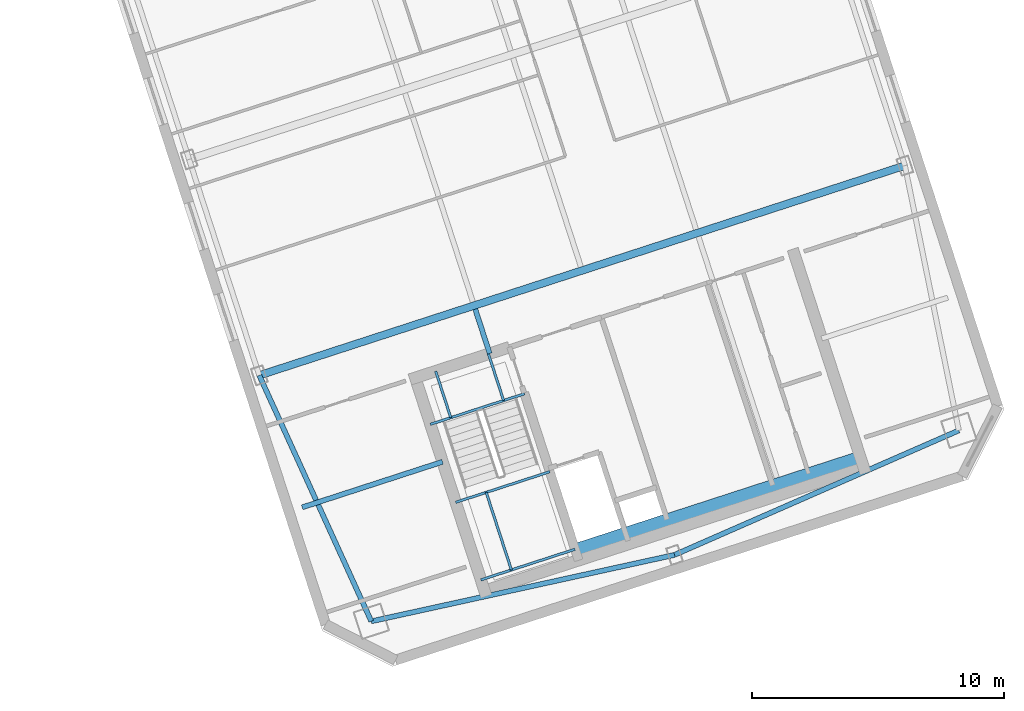
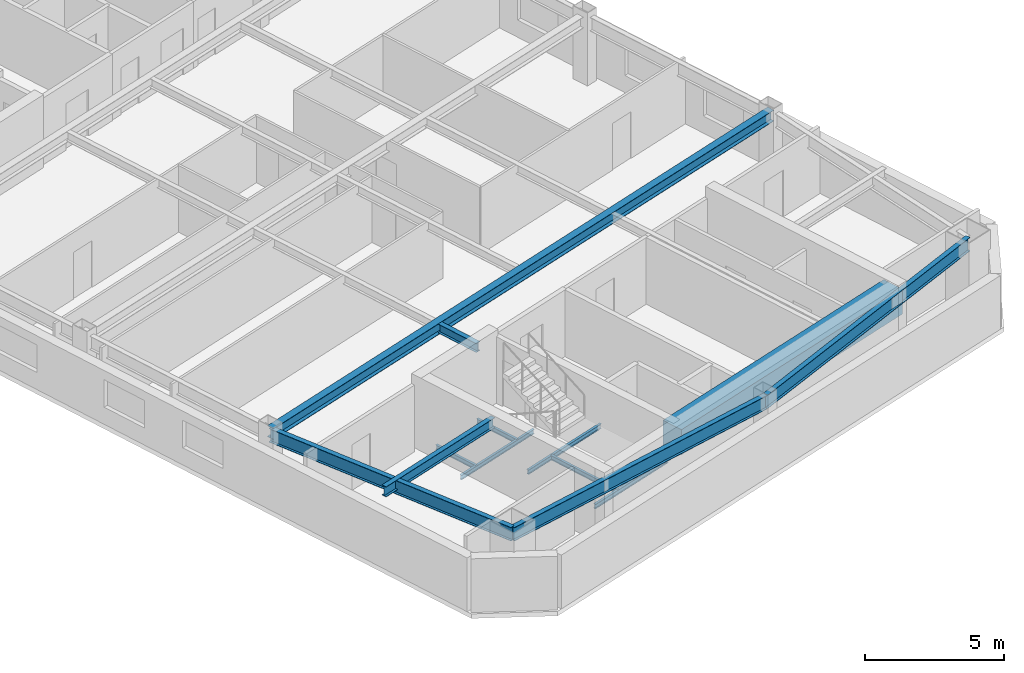
# One storey, part 9 of 20: 13 beams.
"""IFC4 building model written with IfcOpenShell, lengths in metres."""

from ifc_helpers import new_model, si_unit, direction, frame, origin, origin_2d, place, context, subcontext, project, spatial, rectangle, i_section, extrude, material, material_profile, profile_set, type_object, element, save


model = new_model("IFC4")

# Units and contexts
model_context = context("Model", 3, precision=1e-05, world=origin(), true_north=direction((0.0, 1.0)))
body_context = subcontext(model_context, "Body", "Model", "MODEL_VIEW")
ifc_project = project(units=[si_unit("LENGTHUNIT", "METRE"), si_unit("AREAUNIT", "SQUARE_METRE"), si_unit("VOLUMEUNIT", "CUBIC_METRE"), si_unit("PLANEANGLEUNIT", "RADIAN"), si_unit("MASSUNIT", "GRAM", prefix="KILO")], contexts=[model_context])

# Site, building, storey
site_placement = place(None, origin())
site = spatial("IfcSite", under=ifc_project, at=site_placement, CompositionType="ELEMENT")
building_placement = place(site_placement, origin())
building = spatial("IfcBuilding", under=site, at=building_placement, Name="Qiaolan Cultural Towers", CompositionType="ELEMENT")
storey_placement = place(building_placement, frame((0.0, 0.0, 244.0)))
storey = spatial("IfcBuildingStorey", under=building, at=storey_placement, Name="L66", CompositionType="ELEMENT", Elevation=244.0)

# Beams
ifc_material_1 = material(Name="Steel Q355B", Category="steel")
ifc_material_profile_1 = material_profile(ifc_material_1, i_section(OverallWidth=0.300048828125, OverallDepth=0.488037109375, WebThickness=0.010986328125, FlangeThickness=0.01806640625, at=origin_2d()), Name="HM488x300x11x18")
ifc_profile_set_1 = profile_set([ifc_material_profile_1], Name="Steel Q355B")
beam_type_1 = type_object("IfcBeamType", Name="BM-HM488x300x11x18", PredefinedType="BEAM", material=ifc_profile_set_1)
beam_1_placement = place(storey_placement, frame((79.989501953125, 21.2841796875, 2.696044921875), z_axis=(0.951056543098, 0.309016911884, 0.0), x_axis=(-0.309016911884, 0.951056543098, 0.0)))
element("IfcBeam", 1, at=beam_1_placement, inside=storey, type_object=beam_type_1, Name="L66 T2 Primary Transverse Girder V1", PredefinedType="BEAM", context=body_context, shape_type="SweptSolid", body=[
    extrude(i_section(OverallWidth=0.300048828125, OverallDepth=0.488037109375, WebThickness=0.010986328125, FlangeThickness=0.01806640625, at=origin_2d()), origin(), (0.0, 0.0, 1.0), 26.89990234375),
])
ifc_material_2 = material(Name="Steel Q355B", Category="steel")
ifc_material_profile_2 = material_profile(ifc_material_2, i_section(OverallWidth=0.199951171875, OverallDepth=0.39990234375, WebThickness=0.008056640625, FlangeThickness=0.012939453125, at=origin_2d()), Name="HN400x200x8x13")
ifc_profile_set_2 = profile_set([ifc_material_profile_2], Name="Steel Q355B")
beam_type_2 = type_object("IfcBeamType", Name="BM-JST-HN400x200x8x13", PredefinedType="JOIST", material=ifc_profile_set_2)
beam_2_placement = place(storey_placement, frame((89.119384765625, 22.147705078125, 2.739990234375), z_axis=(-0.308933885266, 0.951083516067, 0.0), x_axis=(-0.951083516067, -0.308933885266, 0.0)))
element("IfcBeam", 2, at=beam_2_placement, inside=storey, type_object=beam_type_2, Name="L66 T2 Secondary Floor Joist U1-1", PredefinedType="JOIST", context=body_context, shape_type="SweptSolid", body=[
    extrude(i_section(OverallWidth=0.199951171875, OverallDepth=0.39990234375, WebThickness=0.008056640625, FlangeThickness=0.012939453125, at=origin_2d()), origin(), (0.0, 0.0, 1.0), 1.85009765625),
])
ifc_material_3 = material(Name="Steel Q355B", Category="steel")
ifc_material_profile_3 = material_profile(ifc_material_3, i_section(OverallWidth=0.199951171875, OverallDepth=0.449951171875, WebThickness=0.009033203125, FlangeThickness=0.013916015625, at=origin_2d()), Name="HN450x200x9x14")
ifc_profile_set_3 = profile_set([ifc_material_profile_3], Name="Steel Q355B")
beam_type_3 = type_object("IfcBeamType", Name="BM-LNT-HN450x200x9x14", PredefinedType="LINTEL", material=ifc_profile_set_3)
beam_3_placement = place(storey_placement, frame((87.252685546875, 17.861083984375, 2.715087890625), z_axis=(-0.951063813276, -0.308994535675, 0.0), x_axis=(0.308994535675, -0.951063813276, 0.0)))
element("IfcBeam", 3, at=beam_3_placement, inside=storey, type_object=beam_type_3, Name="L66 T2 Core Flank Tie Lintel WS", PredefinedType="LINTEL", context=body_context, shape_type="SweptSolid", body=[
    extrude(i_section(OverallWidth=0.199951171875, OverallDepth=0.449951171875, WebThickness=0.009033203125, FlangeThickness=0.013916015625, at=origin_2d()), origin(), (0.0, 0.0, 1.0), 5.85009765625),
])
ifc_material_4 = material(Name="Concrete C50", Category="concrete")
ifc_material_profile_4 = material_profile(ifc_material_4, rectangle(XDim=0.89990234375, YDim=1.10009765625, at=origin_2d()), Name="RC900x1100")
ifc_profile_set_4 = profile_set([ifc_material_profile_4], Name="Concrete C50")
beam_type_4 = type_object("IfcBeamType", Name="BM-RC900x1100", PredefinedType="BEAM", material=ifc_profile_set_4)
beam_4_placement = place(storey_placement, frame((92.572265625, 14.174560546875, 2.389892578125), z_axis=(0.951056266386, 0.309017763514, 0.0), x_axis=(-0.309017763514, 0.951056266386, 0.0)))
element("IfcBeam", 4, at=beam_4_placement, inside=storey, type_object=beam_type_4, Name="L66 T2 Core Header Girder S", PredefinedType="BEAM", context=body_context, shape_type="SweptSolid", body=[
    extrude(rectangle(XDim=0.89990234375, YDim=1.10009765625, at=origin_2d()), origin(), (0.0, 0.0, 1.0), 11.880126953125),
])
ifc_material_5 = material(Name="Steel Q355B", Category="steel")
ifc_material_profile_5 = material_profile(ifc_material_5, i_section(OverallWidth=0.199951171875, OverallDepth=0.60009765625, WebThickness=0.010986328125, FlangeThickness=0.01708984375, at=origin_2d()), Name="HN600x200x11x17")
ifc_profile_set_5 = profile_set([ifc_material_profile_5], Name="Steel Q355B")
beam_type_5 = type_object("IfcBeamType", Name="BM-SPD-HN600x200x11x17", PredefinedType="SPANDREL", material=ifc_profile_set_5)
beam_5_placement = place(storey_placement, frame((84.42822265625, 11.538818359375, 2.639892578125), z_axis=(0.976843395078, 0.213955559619, 0.0), x_axis=(-0.213955559619, 0.976843395078, 0.0)))
element("IfcBeam", 5, at=beam_5_placement, inside=storey, type_object=beam_type_5, Name="L66 T2 Perimeter Spandrel Beam 1", PredefinedType="SPANDREL", context=body_context, shape_type="SweptSolid", body=[
    extrude(i_section(OverallWidth=0.199951171875, OverallDepth=0.60009765625, WebThickness=0.010986328125, FlangeThickness=0.01708984375, at=origin_2d()), origin(), (0.0, 0.0, 1.0), 12.2998046875),
])
beam_6_placement = place(storey_placement, frame((96.443115234375, 14.17041015625, 2.639892578125), z_axis=(0.916042038824, 0.401082264762, 0.0), x_axis=(-0.401082264762, 0.916042038824, 0.0)))
element("IfcBeam", 6, at=beam_6_placement, inside=storey, type_object=beam_type_5, Name="L66 T2 Perimeter Spandrel Beam 2", PredefinedType="SPANDREL", context=body_context, shape_type="SweptSolid", body=[
    extrude(i_section(OverallWidth=0.199951171875, OverallDepth=0.60009765625, WebThickness=0.010986328125, FlangeThickness=0.01708984375, at=origin_2d()), origin(), (0.0, 0.0, 1.0), 12.299560546875),
])
beam_7_placement = place(storey_placement, frame((79.989501953125, 21.2841796875, 2.639892578125), z_axis=(0.414500208282, -0.910049216985, 0.0), x_axis=(0.910049216985, 0.414500208282, 0.0)))
element("IfcBeam", 7, at=beam_7_placement, inside=storey, type_object=beam_type_5, Name="L66 T2 Perimeter Spandrel Beam 12", PredefinedType="SPANDREL", context=body_context, shape_type="SweptSolid", body=[
    extrude(i_section(OverallWidth=0.199951171875, OverallDepth=0.60009765625, WebThickness=0.010986328125, FlangeThickness=0.01708984375, at=origin_2d()), origin(), (0.0, 0.0, 1.0), 10.70849609375),
])
ifc_material_6 = material(Name="Steel Q355B", Category="steel")
ifc_material_profile_6 = material_profile(ifc_material_6, i_section(OverallWidth=0.10009765625, OverallDepth=0.199951171875, WebThickness=0.005615234375, FlangeThickness=0.008056640625, at=origin_2d()), Name="HN200x100x5.5x8")
ifc_profile_set_6 = profile_set([ifc_material_profile_6], Name="Steel Q355B")
beam_type_6 = type_object("IfcBeamType", Name="BM-STTRIM-200", PredefinedType="BEAM", material=ifc_profile_set_6)
beam_8_placement = place(storey_placement, frame((86.770751953125, 19.3447265625, -0.4599609375), z_axis=(0.951047798727, 0.309043823005, 0.0), x_axis=(-0.309043823005, 0.951047798727, 0.0)))
element("IfcBeam", 8, at=beam_8_placement, inside=storey, type_object=beam_type_6, Name="L66 ST-E1 Floor Landing Header Beam", PredefinedType="BEAM", context=body_context, shape_type="SweptSolid", body=[
    extrude(i_section(OverallWidth=0.10009765625, OverallDepth=0.199951171875, WebThickness=0.005615234375, FlangeThickness=0.008056640625, at=origin_2d()), origin(), (0.0, 0.0, 1.0), 3.919921875),
])
for number, where, z_axis, x_axis, name in (
    (9, (86.9794921875, 21.452392578125, -0.4599609375), (0.309083226701, -0.951034993558, 0.0), (0.951034993558, 0.309083226701, 0.0), "L66 ST-E1 Floor Landing Stringer 1"),
    (10, (89.07177734375, 22.13232421875, -0.4599609375), (0.309083226701, -0.951034993558, 0.0), (0.951034993558, 0.309083226701, 0.0), "L66 ST-E1 Floor Landing Stringer 2"),
):
    element("IfcBeam", number, at=place(storey_placement, frame(where, z_axis=z_axis, x_axis=x_axis)), inside=storey, type_object=beam_type_6, Name=name, PredefinedType="BEAM", context=body_context, shape_type="SweptSolid", body=[
        extrude(i_section(OverallWidth=0.10009765625, OverallDepth=0.199951171875, WebThickness=0.005615234375, FlangeThickness=0.008056640625, at=origin_2d()), origin(), (0.0, 0.0, 1.0), 1.93994140625),
    ])
for number, where, z_axis, x_axis, name in (
    (11, (87.774658203125, 16.255126953125, 1.300048828125), (0.951047798727, 0.309043823005, 0.0), (-0.309043823005, 0.951047798727, 0.0), "L66 ST-E1 Stair Landing Support Beam 1-1"),
    (12, (88.773193359375, 13.181884765625, 1.300048828125), (0.951047798727, 0.309043823005, 0.0), (-0.309043823005, 0.951047798727, 0.0), "L66 ST-E1 Stair Landing Support Beam 1-2"),
):
    element("IfcBeam", number, at=place(storey_placement, frame(where, z_axis=z_axis, x_axis=x_axis)), inside=storey, type_object=beam_type_6, Name=name, PredefinedType="BEAM", context=body_context, shape_type="SweptSolid", body=[
        extrude(i_section(OverallWidth=0.10009765625, OverallDepth=0.199951171875, WebThickness=0.005615234375, FlangeThickness=0.008056640625, at=origin_2d()), origin(), (0.0, 0.0, 1.0), 3.919921875),
    ])
beam_9_placement = place(storey_placement, frame((88.982421875, 16.6474609375, 1.300048828125), z_axis=(0.309033108495, -0.951051280349, 0.0), x_axis=(0.951051280349, 0.309033108495, 0.0)))
element("IfcBeam", 13, at=beam_9_placement, inside=storey, type_object=beam_type_6, Name="L66 ST-E1 Stair Landing Trimmer 1", PredefinedType="BEAM", context=body_context, shape_type="SweptSolid", body=[
    extrude(i_section(OverallWidth=0.10009765625, OverallDepth=0.199951171875, WebThickness=0.005615234375, FlangeThickness=0.008056640625, at=origin_2d()), origin(), (0.0, 0.0, 1.0), 3.231201171875),
])

save(model, "model.ifc")
